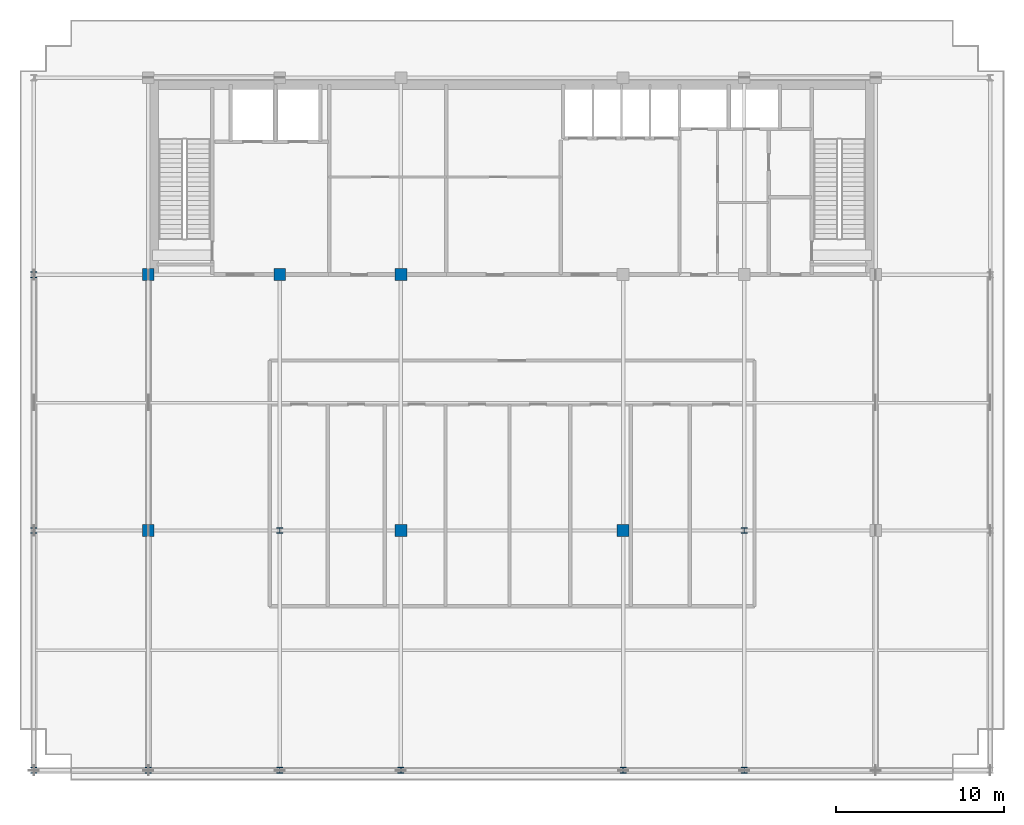
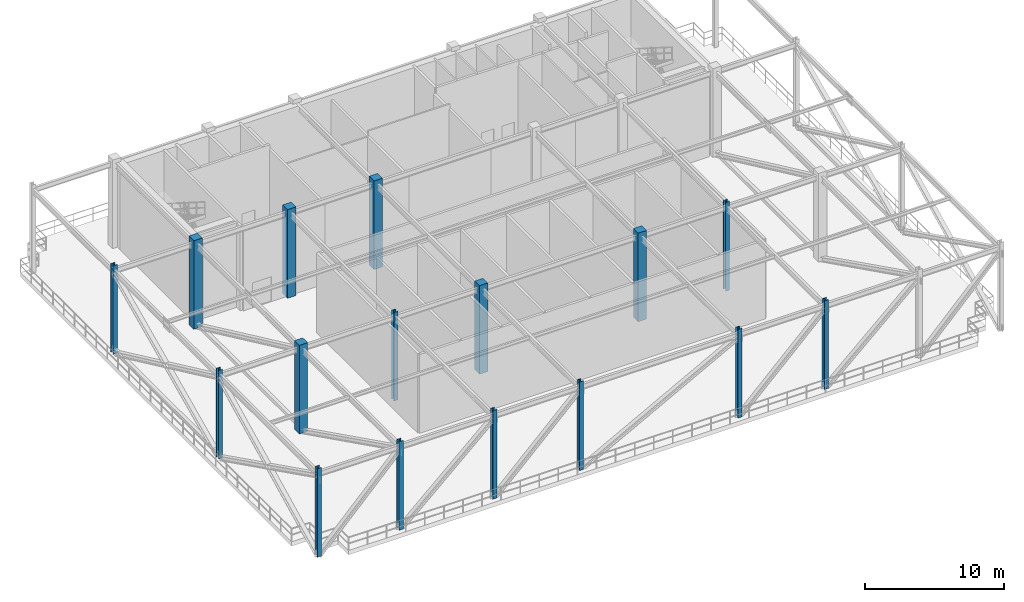
# One storey, part 1 of 15: 16 columns.
"""IFC4 building model written with IfcOpenShell, lengths in metres."""

from ifc_helpers import new_model, si_unit, direction, frame, origin, origin_2d, place, context, subcontext, project, spatial, rectangle, i_section, extrude, source, transform, mapped, material, material_profile, profile_set, type_object, element, save


model = new_model("IFC4")

# Units and contexts
model_context = context("Model", 3, precision=1e-05, world=origin(), true_north=direction((0.0, 1.0)))
body_context = subcontext(model_context, "Body", "Model", "MODEL_VIEW")
ifc_project = project(units=[si_unit("LENGTHUNIT", "METRE"), si_unit("AREAUNIT", "SQUARE_METRE"), si_unit("VOLUMEUNIT", "CUBIC_METRE"), si_unit("PLANEANGLEUNIT", "RADIAN"), si_unit("MASSUNIT", "GRAM", prefix="KILO")], contexts=[model_context])

# Site, building, storey
site_placement = place(None, origin())
site = spatial("IfcSite", under=ifc_project, at=site_placement, CompositionType="ELEMENT")
building_placement = place(site_placement, origin())
building = spatial("IfcBuilding", under=site, at=building_placement, Name="Trelvane Seafront Commons", CompositionType="ELEMENT")
storey_placement = place(building_placement, frame((0.0, 0.0, 240.89990234375)))
storey = spatial("IfcBuildingStorey", under=building, at=storey_placement, Name="L63", CompositionType="ELEMENT", Elevation=240.89990234375)

# Columns
ifc_material_1 = material(Name="Steel SM355 (S355)", Category="steel")
ifc_material_profile_1 = material_profile(ifc_material_1, i_section(OverallWidth=0.35009765625, OverallDepth=0.35009765625, WebThickness=0.01806640625, FlangeThickness=0.028076171875, at=origin_2d()), Name="HD-350x350x18x28")
ifc_profile_set_1 = profile_set([ifc_material_profile_1], Name="Steel SM355 (S355)")
column_type_1 = type_object("IfcColumnType", Name="STR-COL-HD350", PredefinedType="COLUMN", material=ifc_profile_set_1)
shared_shape_1 = source(origin(), body_context, "Body", "SweptSolid", [
    extrude(i_section(OverallWidth=0.35009765625, OverallDepth=0.35009765625, WebThickness=0.01806640625, FlangeThickness=0.028076171875, at=origin_2d()), origin(), (0.0, 0.0, 1.0), 7.800048828125),
])
for number, where, z_axis, x_axis, name in (
    (1, (8.800048828125, 3.949951171875, 0.0), (0.0, 0.0, 1.0), (1.0, 0.0, 0.0), "L63 Column TC-S8.8"),
    (2, (8.800048828125, 18.199951171875, 0.0), (0.0, 0.0, 1.0), (1.0, 0.0, 0.0), "L63 Column TC-M8.8"),
    (3, (8.800048828125, 33.39990234375, 0.0), (0.0, 0.0, 1.0), (1.0, 0.0, 0.0), "L63 Column TC-CS8.8"),
    (4, (15.60009765625, 3.949951171875, 0.0), (0.0, 0.0, 1.0), (1.0, 0.0, 0.0), "L63 Column TC-S15.6"),
    (5, (23.39990234375, 3.949951171875, 0.0), (0.0, 0.0, 1.0), (1.0, 0.0, 0.0), "L63 Column TC-S23.4"),
    (6, (23.39990234375, 18.199951171875, 0.0), (0.0, 0.0, 1.0), (1.0, 0.0, 0.0), "L63 Column TC-M23.4"),
    (7, (30.60009765625, 3.949951171875, 0.0), (0.0, 0.0, 1.0), (1.0, 0.0, 0.0), "L63 Column TC-S30.6"),
    (8, (43.800048828125, 3.949951171875, 0.0), (0.0, 0.0, 1.0), (1.0, 0.0, 0.0), "L63 Column TC-S43.8"),
    (9, (51.0, 3.949951171875, 0.0), (0.0, 0.0, 1.0), (1.0, 0.0, 0.0), "L63 Column TC-S51.0"),
    (10, (51.0, 18.199951171875, 0.0), (0.0, 0.0, 1.0), (1.0, 0.0, 0.0), "L63 Column TC-M51.0"),
):
    element("IfcColumn", number, at=place(storey_placement, frame(where, z_axis=z_axis, x_axis=x_axis)), inside=storey, type_object=column_type_1, Name=name, PredefinedType="COLUMN", context=body_context, shape_type="MappedRepresentation", body=[
        mapped(shared_shape_1, transform((0.0, 0.0, 0.0), x_axis=(1.0, 0.0, 0.0), y_axis=(0.0, 1.0, 0.0), z_axis=(0.0, 0.0, 1.0), scale=1.0)),
    ])
ifc_material_2 = material(Name="Concrete C50/60", Category="concrete")
ifc_material_profile_2 = material_profile(ifc_material_2, rectangle(XDim=0.699951171875, YDim=0.699951171875, at=origin_2d()), Name="RC-700x700")
ifc_profile_set_2 = profile_set([ifc_material_profile_2], Name="Concrete C50/60")
column_type_2 = type_object("IfcColumnType", Name="STR-COL-RC700", PredefinedType="COLUMN", material=ifc_profile_set_2)
shared_shape_2 = source(origin(), body_context, "Body", "SweptSolid", [
    extrude(rectangle(XDim=0.699951171875, YDim=0.699951171875, at=origin_2d()), origin(), (0.0, 0.0, 1.0), 7.800048828125),
])
for number, where, z_axis, x_axis, name in (
    (11, (15.60009765625, 18.199951171875, 0.0), (0.0, 0.0, 1.0), (1.0, 0.0, 0.0), "L63 Column TC-M15.6"),
    (12, (15.60009765625, 33.39990234375, 0.0), (0.0, 0.0, 1.0), (1.0, 0.0, 0.0), "L63 Column TC-CS15.6"),
    (13, (23.39990234375, 33.39990234375, 0.0), (0.0, 0.0, 1.0), (1.0, 0.0, 0.0), "L63 Column TC-CS23.4"),
    (14, (30.60009765625, 18.199951171875, 0.0), (0.0, 0.0, 1.0), (1.0, 0.0, 0.0), "L63 Column TC-M30.6"),
    (15, (30.60009765625, 33.39990234375, 0.0), (0.0, 0.0, 1.0), (1.0, 0.0, 0.0), "L63 Column TC-CS30.6"),
    (16, (43.800048828125, 18.199951171875, 0.0), (0.0, 0.0, 1.0), (1.0, 0.0, 0.0), "L63 Column TC-M43.8"),
):
    element("IfcColumn", number, at=place(storey_placement, frame(where, z_axis=z_axis, x_axis=x_axis)), inside=storey, type_object=column_type_2, Name=name, PredefinedType="COLUMN", context=body_context, shape_type="MappedRepresentation", body=[
        mapped(shared_shape_2, transform((0.0, 0.0, 0.0), x_axis=(1.0, 0.0, 0.0), y_axis=(0.0, 1.0, 0.0), z_axis=(0.0, 0.0, 1.0), scale=1.0)),
    ])

save(model, "model.ifc")
